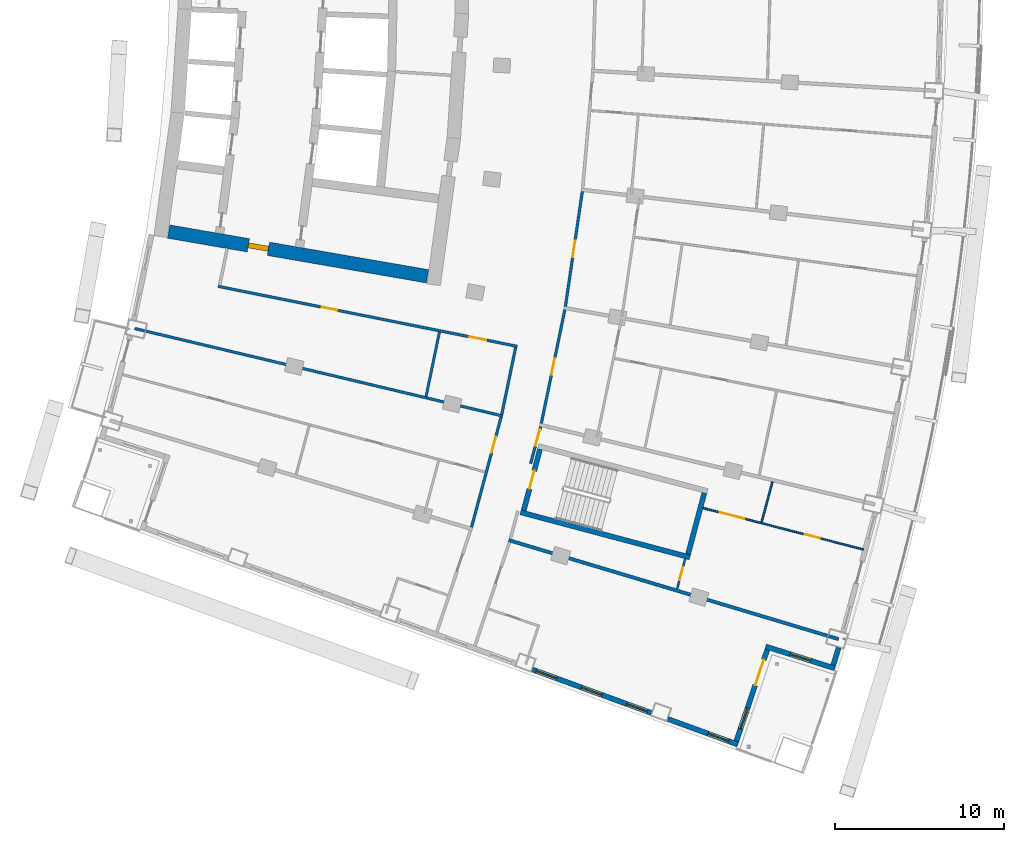
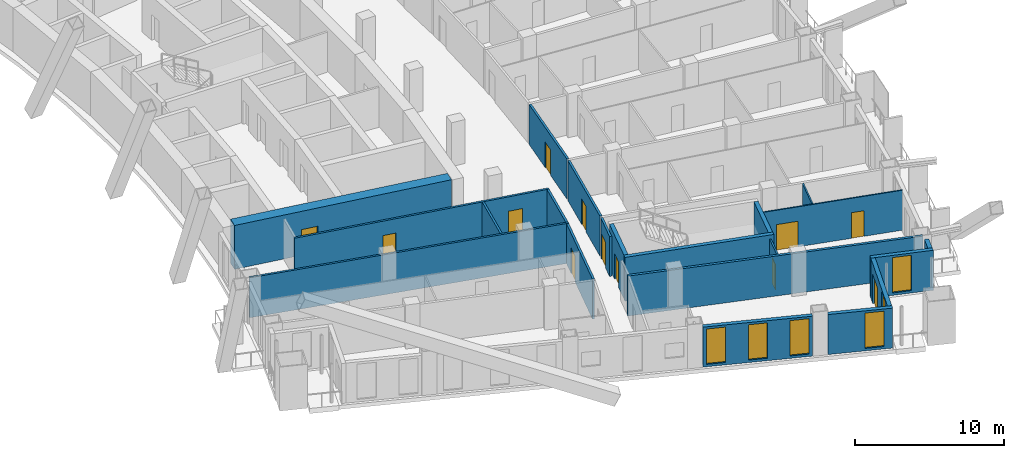
# One storey, part 14 of 25: 21 walls, 12 doors, 6 windows, 18 openings.
"""IFC4 building model written with IfcOpenShell, lengths in metres."""

from ifc_helpers import new_model, si_unit, direction, frame, frame_2d, origin, place, context, subcontext, project, spatial, rectangle, extrude, material, layer, layer_set, type_object, element, fill, save


model = new_model("IFC4")

# Units and contexts
model_context = context("Model", 3, precision=1e-05, world=origin(), true_north=direction((0.0, 1.0)))
body_context = subcontext(model_context, "Body", "Model", "MODEL_VIEW")
ifc_project = project(units=[si_unit("LENGTHUNIT", "METRE"), si_unit("AREAUNIT", "SQUARE_METRE"), si_unit("VOLUMEUNIT", "CUBIC_METRE"), si_unit("PLANEANGLEUNIT", "RADIAN"), si_unit("MASSUNIT", "GRAM", prefix="KILO")], contexts=[model_context])

# Site, building, storey
site_placement = place(None, origin())
site = spatial("IfcSite", under=ifc_project, at=site_placement, CompositionType="ELEMENT")
building_placement = place(site_placement, origin())
building = spatial("IfcBuilding", under=site, at=building_placement, Name="Alderwake Tower", CompositionType="ELEMENT")
storey_placement = place(building_placement, frame((0.0, 0.0, 93.199951171875)))
storey = spatial("IfcBuildingStorey", under=building, at=storey_placement, Name="L22", CompositionType="ELEMENT", Elevation=93.199951171875)

# Wall, opening, door
ifc_material_1 = material(Name="Concrete C70/85", Category="concrete")
ifc_layer_1 = layer(ifc_material_1, 0.800048828125)
ifc_layer_set_1 = layer_set([ifc_layer_1], Name="Core wall outer 800 C70-85")
wall_type_1 = type_object("IfcWallType", Name="Core wall outer 800 C70-85", PredefinedType="SHEAR", material=ifc_layer_set_1)
wall_1_placement = place(storey_placement, frame((31.20458984375, 41.776611328125, 0.0), z_axis=(0.0, 0.0, 1.0), x_axis=(-0.985386537175, 0.170333121719, 0.0)))
wall_1 = element("IfcWall", 1, at=wall_1_placement, inside=storey, type_object=wall_type_1, Name="Core wall CW.071", PredefinedType="SHEAR", context=body_context, shape_type="SweptSolid", body=[
    extrude(rectangle(XDim=15.537109375, YDim=0.800048828125, at=frame_2d((7.7685546875, 0.0))), origin(), (0.0, 0.0, 1.0), 3.60009765625),
])
opening_1_placement = place(wall_1_placement, frame((9.5537109375, 0.0, 0.0)))
opening_1 = element("IfcOpeningElement", 2, at=opening_1_placement, cuts=wall_1, Name="Opening C003", PredefinedType="OPENING", context=body_context, shape_type="SweptSolid", body=[
    extrude(rectangle(XDim=1.199951171875, YDim=2.10009765625, at=frame_2d((0.60009765625, 1.050048828125))), frame((0.0, 0.409912109375, 0.0), z_axis=(0.0, -1.0, 0.0), x_axis=(1.0, 0.0, 0.0)), (0.0, 0.0, 1.0), 0.820068359375),
])
ifc_material_2 = material(Name="Steel-framed fire door leaf", Category="steel")
door_type_1 = type_object("IfcDoorType", Name="Core lobby exit door 1200 fire-rated", OperationType="SINGLE_SWING_LEFT", PredefinedType="DOOR", material=ifc_material_2)
door_1_placement = place(opening_1_placement, origin())
door_1 = element("IfcDoor", 3, at=door_1_placement, inside=storey, type_object=door_type_1, Name="Lobby door", OperationType="SINGLE_SWING_LEFT", OverallHeight=2.10009765625, OverallWidth=1.199951171875, PredefinedType="DOOR", context=body_context, shape_type="SweptSolid", body=[
    extrude(rectangle(XDim=1.199951171875, YDim=2.10009765625, at=frame_2d((0.60009765625, 1.050048828125))), frame((0.0, 0.14990234375, 0.0), z_axis=(0.0, -1.0, 0.0), x_axis=(1.0, 0.0, 0.0)), (0.0, 0.0, 1.0), 0.300048828125),
])
fill(opening_1, door_1)

# Wall
ifc_material_3 = material(Name="Concrete C70/85", Category="concrete")
ifc_layer_2 = layer(ifc_material_3, 0.300048828125)
ifc_layer_set_2 = layer_set([ifc_layer_2], Name="Core wall stair enclosure 300 C70-85")
wall_type_2 = type_object("IfcWallType", Name="Core wall stair enclosure 300 C70-85", PredefinedType="SHEAR", material=ifc_layer_set_2)
wall_2_placement = place(storey_placement, frame((36.71142578125, 27.817626953125, 0.0), z_axis=(0.0, 0.0, 1.0), x_axis=(0.966309214305, -0.257383958996, 0.0)))
element("IfcWall", 4, at=wall_2_placement, inside=storey, type_object=wall_type_2, Name="Core wall CW.088", PredefinedType="SHEAR", context=body_context, shape_type="SweptSolid", body=[
    extrude(rectangle(XDim=10.360107421875, YDim=0.300048828125, at=frame_2d((5.18017578125, 0.0))), origin(), (0.0, 0.0, 1.0), 3.60009765625),
])

# Wall, opening, door
wall_3_placement = place(storey_placement, frame((36.89501953125, 27.923828125, 0.0), z_axis=(0.0, 0.0, 1.0), x_axis=(0.257350630826, 0.966318090907, 0.0)))
wall_3 = element("IfcWall", 5, at=wall_3_placement, inside=storey, type_object=wall_type_2, Name="Core wall CW.087", PredefinedType="SHEAR", context=body_context, shape_type="SweptSolid", body=[
    extrude(rectangle(XDim=3.75, YDim=0.300048828125, at=frame_2d((1.875, 0.0))), origin(), (0.0, 0.0, 1.0), 3.60009765625),
])
opening_2_placement = place(wall_3_placement, frame((1.324951171875, 0.0, 0.0)))
opening_2 = element("IfcOpeningElement", 6, at=opening_2_placement, cuts=wall_3, Name="Opening C065", PredefinedType="OPENING", context=body_context, shape_type="SweptSolid", body=[
    extrude(rectangle(XDim=1.10009765625, YDim=2.10009765625, at=frame_2d((0.550048828125, 1.050048828125))), frame((0.0, 0.159912109375, 0.0), z_axis=(0.0, -1.0, 0.0), x_axis=(1.0, 0.0, 0.0)), (0.0, 0.0, 1.0), 0.320068359375),
])
ifc_material_4 = material(Name="Steel-framed fire door leaf", Category="steel")
door_type_2 = type_object("IfcDoorType", Name="Core stair door 1100 fire-rated", OperationType="SINGLE_SWING_LEFT", PredefinedType="DOOR", material=ifc_material_4)
door_2_placement = place(opening_2_placement, origin())
door_2 = element("IfcDoor", 7, at=door_2_placement, inside=storey, type_object=door_type_2, Name="Stair door", OperationType="SINGLE_SWING_LEFT", OverallHeight=2.10009765625, OverallWidth=1.10009765625, PredefinedType="DOOR", context=body_context, shape_type="SweptSolid", body=[
    extrude(rectangle(XDim=1.10009765625, YDim=2.10009765625, at=frame_2d((0.550048828125, 1.050048828125))), frame((0.0, 0.02490234375, 0.0), z_axis=(0.0, -1.0, 0.0), x_axis=(1.0, 0.0, 0.0)), (0.0, 0.0, 1.0), 0.050048828125),
])
fill(opening_2, door_2)

# Walls
wall_4_placement = place(storey_placement, frame((46.6162109375, 25.334716796875, 0.0), z_axis=(0.0, 0.0, 1.0), x_axis=(0.257366821694, 0.966313778796, 0.0)))
element("IfcWall", 8, at=wall_4_placement, inside=storey, type_object=wall_type_2, Name="Core wall CW.085", PredefinedType="SHEAR", context=body_context, shape_type="SweptSolid", body=[
    extrude(rectangle(XDim=3.749755859375, YDim=0.300048828125, at=frame_2d((1.875, 0.0))), origin(), (0.0, 0.0, 1.0), 3.60009765625),
])
ifc_material_5 = material(Name="Gypsum board on metal studs, rated")
ifc_layer_3 = layer(ifc_material_5, 0.159912109375)
ifc_layer_set_3 = layer_set([ifc_layer_3], Name="Corridor wall 160")
wall_type_3 = type_object("IfcWallType", Name="Corridor wall 160", PredefinedType="PARTITIONING", material=ifc_layer_set_3)
wall_5_placement = place(storey_placement, frame((13.884033203125, 38.68798828125, 0.0), z_axis=(0.0, 0.0, 1.0), x_axis=(0.972893462073, -0.231253781493, 0.0)))
element("IfcWall", 9, at=wall_5_placement, inside=storey, type_object=wall_type_3, Name="WL/L22/W18", PredefinedType="PARTITIONING", context=body_context, shape_type="SweptSolid", body=[
    extrude(rectangle(XDim=22.38037109375, YDim=0.159912109375, at=frame_2d((11.190185546875, 0.0))), origin(), (0.0, 0.0, 1.0), 3.280029296875),
])

# Wall, openings, doors
wall_6_placement = place(storey_placement, frame((36.513427734375, 37.63427734375, 0.0), z_axis=(0.0, 0.0, 1.0), x_axis=(-0.980470254867, 0.1966674333, 0.0)))
wall_6 = element("IfcWall", 10, at=wall_6_placement, inside=storey, type_object=wall_type_3, Name="WL/L22/W20", PredefinedType="PARTITIONING", context=body_context, shape_type="SweptSolid", body=[
    extrude(rectangle(XDim=18.053466796875, YDim=0.159912109375, at=frame_2d((9.02685546875, 0.0))), origin(), (0.0, 0.0, 1.0), 3.280029296875),
])
opening_3_placement = place(wall_6_placement, frame((10.876708984375, 0.0, 0.0)))
opening_3 = element("IfcOpeningElement", 11, at=opening_3_placement, cuts=wall_6, Name="Opening R06-SBS1", PredefinedType="OPENING", context=body_context, shape_type="SweptSolid", body=[
    extrude(rectangle(XDim=0.89990234375, YDim=2.10009765625, at=frame_2d((0.449951171875, 1.050048828125))), frame((0.0, 0.08984375, 0.0), z_axis=(0.0, -1.0, 0.0), x_axis=(1.0, 0.0, 0.0)), (0.0, 0.0, 1.0), 0.179931640625),
])
opening_4_placement = place(wall_6_placement, frame((1.880615234375, 0.0, 0.0)))
opening_4 = element("IfcOpeningElement", 12, at=opening_4_placement, cuts=wall_6, Name="Opening R06-SBS2", PredefinedType="OPENING", context=body_context, shape_type="SweptSolid", body=[
    extrude(rectangle(XDim=1.0, YDim=2.10009765625, at=frame_2d((0.5, 1.050048828125))), frame((0.0, 0.08984375, 0.0), z_axis=(0.0, -1.0, 0.0), x_axis=(1.0, 0.0, 0.0)), (0.0, 0.0, 1.0), 0.179931640625),
])
ifc_material_6 = material(Name="Steel-framed fire door leaf", Category="steel")
door_type_3 = type_object("IfcDoorType", Name="Plant room door 1000 fire-rated", OperationType="SINGLE_SWING_LEFT", PredefinedType="DOOR", material=ifc_material_6)
door_3_placement = place(opening_4_placement, origin())
door_3 = element("IfcDoor", 13, at=door_3_placement, inside=storey, type_object=door_type_3, Name="DR/L22/SBS2", OperationType="SINGLE_SWING_LEFT", OverallHeight=2.10009765625, OverallWidth=1.0, PredefinedType="DOOR", context=body_context, shape_type="SweptSolid", body=[
    extrude(rectangle(XDim=1.0, YDim=2.10009765625, at=frame_2d((0.5, 1.050048828125))), frame((0.0, 0.02490234375, 0.0), z_axis=(0.0, -1.0, 0.0), x_axis=(1.0, 0.0, 0.0)), (0.0, 0.0, 1.0), 0.050048828125),
])
fill(opening_4, door_3)
ifc_material_7 = material(Name="Painted timber leaf", Category="wood")
door_type_4 = type_object("IfcDoorType", Name="Room door 900", OperationType="SINGLE_SWING_LEFT", PredefinedType="DOOR", material=ifc_material_7)
door_4_placement = place(opening_3_placement, origin())
door_4 = element("IfcDoor", 14, at=door_4_placement, inside=storey, type_object=door_type_4, Name="DR/L22/SBS1", OperationType="SINGLE_SWING_LEFT", OverallHeight=2.10009765625, OverallWidth=0.89990234375, PredefinedType="DOOR", context=body_context, shape_type="SweptSolid", body=[
    extrude(rectangle(XDim=0.89990234375, YDim=2.10009765625, at=frame_2d((0.449951171875, 1.050048828125))), frame((0.0, 0.02490234375, 0.0), z_axis=(0.0, -1.0, 0.0), x_axis=(1.0, 0.0, 0.0)), (0.0, 0.0, 1.0), 0.050048828125),
])
fill(opening_3, door_4)

# Wall, opening, door
wall_7_placement = place(storey_placement, frame((33.808837890625, 26.9345703125, 0.0), z_axis=(0.0, 0.0, 1.0), x_axis=(0.259298911818, 0.965797118618, 0.0)))
wall_7 = element("IfcWall", 15, at=wall_7_placement, inside=storey, type_object=wall_type_3, Name="WL/L22/W25", PredefinedType="PARTITIONING", context=body_context, shape_type="SweptSolid", body=[
    extrude(rectangle(XDim=6.75, YDim=0.159912109375, at=frame_2d((3.375, 0.0))), origin(), (0.0, 0.0, 1.0), 3.280029296875),
])
opening_5_placement = place(wall_7_placement, frame((4.5576171875, 0.0, 0.0)))
opening_5 = element("IfcOpeningElement", 16, at=opening_5_placement, cuts=wall_7, Name="Opening R06-U13.2", PredefinedType="OPENING", context=body_context, shape_type="SweptSolid", body=[
    extrude(rectangle(XDim=1.0, YDim=2.10009765625, at=frame_2d((0.5, 1.050048828125))), frame((0.0, 0.08984375, 0.0), z_axis=(0.0, -1.0, 0.0), x_axis=(1.0, 0.0, 0.0)), (0.0, 0.0, 1.0), 0.179931640625),
])
ifc_material_8 = material(Name="Solid timber leaf in steel frame", Category="steel")
door_type_5 = type_object("IfcDoorType", Name="Flat entrance door 1000 fire-rated", OperationType="SINGLE_SWING_LEFT", PredefinedType="DOOR", material=ifc_material_8)
door_5_placement = place(opening_5_placement, origin())
door_5 = element("IfcDoor", 17, at=door_5_placement, inside=storey, type_object=door_type_5, Name="DR/L22/U13.2", OperationType="SINGLE_SWING_LEFT", OverallHeight=2.10009765625, OverallWidth=1.0, PredefinedType="DOOR", context=body_context, shape_type="SweptSolid", body=[
    extrude(rectangle(XDim=1.0, YDim=2.10009765625, at=frame_2d((0.5, 1.050048828125))), frame((0.0, 0.02490234375, 0.0), z_axis=(0.0, -1.0, 0.0), x_axis=(1.0, 0.0, 0.0)), (0.0, 0.0, 1.0), 0.050048828125),
])
fill(opening_5, door_5)

# Wall
wall_8_placement = place(storey_placement, frame((36.418701171875, 37.57177734375, 0.0), z_axis=(0.0, 0.0, 1.0), x_axis=(-0.203245920818, -0.979127721838, 0.0)))
element("IfcWall", 18, at=wall_8_placement, inside=storey, type_object=wall_type_3, Name="WL/L22/W31", PredefinedType="PARTITIONING", context=body_context, shape_type="SweptSolid", body=[
    extrude(rectangle(XDim=4.046875, YDim=0.159912109375, at=frame_2d((2.0234375, 0.0))), origin(), (0.0, 0.0, 1.0), 3.280029296875),
])

# Wall, opening, door
wall_9_placement = place(storey_placement, frame((37.89111328125, 32.87939453125, 0.0), z_axis=(0.0, 0.0, 1.0), x_axis=(-0.259620578816, -0.965710699462, 0.0)))
wall_9 = element("IfcWall", 19, at=wall_9_placement, inside=storey, type_object=wall_type_3, Name="WL/L22/W34", PredefinedType="PARTITIONING", context=body_context, shape_type="SweptSolid", body=[
    extrude(rectangle(XDim=2.2578125, YDim=0.159912109375, at=frame_2d((1.12890625, 0.0))), origin(), (0.0, 0.0, 1.0), 3.280029296875),
])
opening_6_placement = place(wall_9_placement, frame((0.1708984375, 0.0, 0.0)))
opening_6 = element("IfcOpeningElement", 20, at=opening_6_placement, cuts=wall_9, Name="Opening R06-U01.1", PredefinedType="OPENING", context=body_context, shape_type="SweptSolid", body=[
    extrude(rectangle(XDim=1.0, YDim=2.10009765625, at=frame_2d((0.5, 1.050048828125))), frame((0.0, 0.08984375, 0.0), z_axis=(0.0, -1.0, 0.0), x_axis=(1.0, 0.0, 0.0)), (0.0, 0.0, 1.0), 0.179931640625),
])
door_6_placement = place(opening_6_placement, origin())
door_6 = element("IfcDoor", 21, at=door_6_placement, inside=storey, type_object=door_type_5, Name="DR/L22/U01.1", OperationType="SINGLE_SWING_LEFT", OverallHeight=2.10009765625, OverallWidth=1.0, PredefinedType="DOOR", context=body_context, shape_type="SweptSolid", body=[
    extrude(rectangle(XDim=1.0, YDim=2.10009765625, at=frame_2d((0.5, 1.050048828125))), frame((0.0, 0.02490234375, 0.0), z_axis=(0.0, -1.0, 0.0), x_axis=(1.0, 0.0, 0.0)), (0.0, 0.0, 1.0), 0.050048828125),
])
fill(opening_6, door_6)

wall_10_placement = place(storey_placement, frame((39.32763671875, 39.799072265625, 0.0), z_axis=(0.0, 0.0, 1.0), x_axis=(-0.202463357072, -0.97928983914, 0.0)))
wall_10 = element("IfcWall", 22, at=wall_10_placement, inside=storey, type_object=wall_type_3, Name="WL/L22/W35", PredefinedType="PARTITIONING", context=body_context, shape_type="SweptSolid", body=[
    extrude(rectangle(XDim=6.867431640625, YDim=0.159912109375, at=frame_2d((3.43359375, 0.0))), origin(), (0.0, 0.0, 1.0), 3.280029296875),
])
opening_7_placement = place(wall_10_placement, frame((2.93359375, 0.0, 0.0)))
opening_7 = element("IfcOpeningElement", 23, at=opening_7_placement, cuts=wall_10, Name="Opening R06-U05.2", PredefinedType="OPENING", context=body_context, shape_type="SweptSolid", body=[
    extrude(rectangle(XDim=1.0, YDim=2.10009765625, at=frame_2d((0.5, 1.050048828125))), frame((0.0, 0.08984375, 0.0), z_axis=(0.0, -1.0, 0.0), x_axis=(1.0, 0.0, 0.0)), (0.0, 0.0, 1.0), 0.179931640625),
])
door_7_placement = place(opening_7_placement, origin())
door_7 = element("IfcDoor", 24, at=door_7_placement, inside=storey, type_object=door_type_5, Name="DR/L22/U05.2", OperationType="SINGLE_SWING_LEFT", OverallHeight=2.10009765625, OverallWidth=1.0, PredefinedType="DOOR", context=body_context, shape_type="SweptSolid", body=[
    extrude(rectangle(XDim=1.0, YDim=2.10009765625, at=frame_2d((0.5, 1.050048828125))), frame((0.0, 0.02490234375, 0.0), z_axis=(0.0, -1.0, 0.0), x_axis=(1.0, 0.0, 0.0)), (0.0, 0.0, 1.0), 0.050048828125),
])
fill(opening_7, door_7)

wall_11_placement = place(storey_placement, frame((40.3623046875, 46.7939453125, 0.0), z_axis=(0.0, 0.0, 1.0), x_axis=(-0.1455042199, -0.989357630987, 0.0)))
wall_11 = element("IfcWall", 25, at=wall_11_placement, inside=storey, type_object=wall_type_3, Name="WL/L22/W37", PredefinedType="PARTITIONING", context=body_context, shape_type="SweptSolid", body=[
    extrude(rectangle(XDim=6.87109375, YDim=0.159912109375, at=frame_2d((3.435546875, 0.0))), origin(), (0.0, 0.0, 1.0), 3.280029296875),
])
opening_8_placement = place(wall_11_placement, frame((2.935546875, 0.0, 0.0)))
opening_8 = element("IfcOpeningElement", 26, at=opening_8_placement, cuts=wall_11, Name="Opening R06-U06.2", PredefinedType="OPENING", context=body_context, shape_type="SweptSolid", body=[
    extrude(rectangle(XDim=1.0, YDim=2.10009765625, at=frame_2d((0.5, 1.050048828125))), frame((0.0, 0.08984375, 0.0), z_axis=(0.0, -1.0, 0.0), x_axis=(1.0, 0.0, 0.0)), (0.0, 0.0, 1.0), 0.179931640625),
])
door_8_placement = place(opening_8_placement, origin())
door_8 = element("IfcDoor", 27, at=door_8_placement, inside=storey, type_object=door_type_5, Name="DR/L22/U06.2", OperationType="SINGLE_SWING_LEFT", OverallHeight=2.10009765625, OverallWidth=1.0, PredefinedType="DOOR", context=body_context, shape_type="SweptSolid", body=[
    extrude(rectangle(XDim=1.0, YDim=2.10009765625, at=frame_2d((0.5, 1.050048828125))), frame((0.0, 0.02490234375, 0.0), z_axis=(0.0, -1.0, 0.0), x_axis=(1.0, 0.0, 0.0)), (0.0, 0.0, 1.0), 0.050048828125),
])
fill(opening_8, door_8)

# Wall
ifc_material_9 = material(Name="Precast concrete C50/60 spandrel panel", Category="concrete")
ifc_layer_4 = layer(ifc_material_9, 0.300048828125)
ifc_layer_set_4 = layer_set([ifc_layer_4], Name="External wall EW1 Precast concrete C50/60 spandrel")
wall_type_4 = type_object("IfcWallType", Name="External wall EW1 Precast concrete C50/60 spandrel", PredefinedType="SOLIDWALL", material=ifc_layer_set_4)
wall_12_placement = place(storey_placement, frame((55.206298828125, 18.7724609375, 0.0), z_axis=(0.0, 0.0, 1.0), x_axis=(0.29460770827, 0.955618280606, 0.0)))
element("IfcWall", 28, at=wall_12_placement, inside=storey, type_object=wall_type_4, Name="External wall 11", PredefinedType="SOLIDWALL", context=body_context, shape_type="SweptSolid", body=[
    extrude(rectangle(XDim=1.084716796875, YDim=0.300048828125, at=frame_2d((0.54248046875, 0.0))), origin(), (0.0, 0.0, 1.0), 3.280029296875),
])

# Wall, openings, windows
ifc_material_10 = material(Name="Bronze metal cladding on lightweight framing")
ifc_layer_5 = layer(ifc_material_10, 0.300048828125)
ifc_layer_set_5 = layer_set([ifc_layer_5], Name="External wall EW2 bronze metal cladding")
wall_type_5 = type_object("IfcWallType", Name="External wall EW2 bronze metal cladding", PredefinedType="SOLIDWALL", material=ifc_layer_set_5)
wall_13_placement = place(storey_placement, frame((37.4091796875, 18.514892578125, 0.0), z_axis=(0.0, 0.0, 1.0), x_axis=(0.939370505087, -0.342903855582, 0.0)))
wall_13 = element("IfcWall", 29, at=wall_13_placement, inside=storey, type_object=wall_type_5, Name="External wall 7", PredefinedType="SOLIDWALL", context=body_context, shape_type="SweptSolid", body=[
    extrude(rectangle(XDim=7.479248046875, YDim=0.300048828125, at=frame_2d((3.73974609375, 0.0))), origin(), (0.0, 0.0, 1.0), 3.280029296875),
])
opening_9_placement = place(wall_13_placement, frame((0.2451171875, 0.0, 0.199951171875)))
opening_9 = element("IfcOpeningElement", 30, at=opening_9_placement, cuts=wall_13, Name="Opening W1", PredefinedType="OPENING", context=body_context, shape_type="SweptSolid", body=[
    extrude(rectangle(XDim=1.300048828125, YDim=2.89990234375, at=frame_2d((0.64990234375, 1.449951171875))), frame((0.0, 0.159912109375, 0.0), z_axis=(0.0, -1.0, 0.0), x_axis=(1.0, 0.0, 0.0)), (0.0, 0.0, 1.0), 0.320068359375),
])
opening_10_placement = place(wall_13_placement, frame((3.089599609375, 0.0, 0.199951171875)))
opening_10 = element("IfcOpeningElement", 31, at=opening_10_placement, cuts=wall_13, Name="Opening W1", PredefinedType="OPENING", context=body_context, shape_type="SweptSolid", body=[
    extrude(rectangle(XDim=1.300048828125, YDim=2.89990234375, at=frame_2d((0.64990234375, 1.449951171875))), frame((0.0, 0.159912109375, 0.0), z_axis=(0.0, -1.0, 0.0), x_axis=(1.0, 0.0, 0.0)), (0.0, 0.0, 1.0), 0.320068359375),
])
opening_11_placement = place(wall_13_placement, frame((5.93408203125, 0.0, 0.199951171875)))
opening_11 = element("IfcOpeningElement", 32, at=opening_11_placement, cuts=wall_13, Name="Opening W1", PredefinedType="OPENING", context=body_context, shape_type="SweptSolid", body=[
    extrude(rectangle(XDim=1.300048828125, YDim=2.89990234375, at=frame_2d((0.64990234375, 1.449951171875))), frame((0.0, 0.159912109375, 0.0), z_axis=(0.0, -1.0, 0.0), x_axis=(1.0, 0.0, 0.0)), (0.0, 0.0, 1.0), 0.320068359375),
])
ifc_material_11 = material(Name="Bronze tinted glass in aluminium frame", Category="aluminium")
window_type = type_object("IfcWindowType", Name="Window W1 tall fixed and vent", PartitioningType="DOUBLE_PANEL_VERTICAL", PredefinedType="WINDOW", material=ifc_material_11)
window_1_placement = place(opening_9_placement, origin())
window_1 = element("IfcWindow", 33, at=window_1_placement, inside=storey, type_object=window_type, Name="Window W1 tall fixed and vent", OverallHeight=2.89990234375, OverallWidth=1.300048828125, PartitioningType="DOUBLE_PANEL_VERTICAL", PredefinedType="WINDOW", context=body_context, shape_type="SweptSolid", body=[
    extrude(rectangle(XDim=1.300048828125, YDim=2.89990234375, at=frame_2d((0.64990234375, 1.449951171875))), frame((0.0, 0.030029296875, 0.0), z_axis=(0.0, -1.0, 0.0), x_axis=(1.0, 0.0, 0.0)), (0.0, 0.0, 1.0), 0.06005859375),
])
fill(opening_9, window_1)
window_2_placement = place(opening_10_placement, origin())
window_2 = element("IfcWindow", 34, at=window_2_placement, inside=storey, type_object=window_type, Name="Window W1 tall fixed and vent", OverallHeight=2.89990234375, OverallWidth=1.300048828125, PartitioningType="DOUBLE_PANEL_VERTICAL", PredefinedType="WINDOW", context=body_context, shape_type="SweptSolid", body=[
    extrude(rectangle(XDim=1.300048828125, YDim=2.89990234375, at=frame_2d((0.64990234375, 1.449951171875))), frame((0.0, 0.030029296875, 0.0), z_axis=(0.0, -1.0, 0.0), x_axis=(1.0, 0.0, 0.0)), (0.0, 0.0, 1.0), 0.06005859375),
])
fill(opening_10, window_2)
window_3_placement = place(opening_11_placement, origin())
window_3 = element("IfcWindow", 35, at=window_3_placement, inside=storey, type_object=window_type, Name="Window W1 tall fixed and vent", OverallHeight=2.89990234375, OverallWidth=1.300048828125, PartitioningType="DOUBLE_PANEL_VERTICAL", PredefinedType="WINDOW", context=body_context, shape_type="SweptSolid", body=[
    extrude(rectangle(XDim=1.300048828125, YDim=2.89990234375, at=frame_2d((0.64990234375, 1.449951171875))), frame((0.0, 0.030029296875, 0.0), z_axis=(0.0, -1.0, 0.0), x_axis=(1.0, 0.0, 0.0)), (0.0, 0.0, 1.0), 0.06005859375),
])
fill(opening_11, window_3)

# Wall, opening, window
wall_14_placement = place(storey_placement, frame((45.425048828125, 15.5888671875, 0.0), z_axis=(0.0, 0.0, 1.0), x_axis=(0.939375174999, -0.342891062285, 0.0)))
wall_14 = element("IfcWall", 36, at=wall_14_placement, inside=storey, type_object=wall_type_5, Name="External wall 8", PredefinedType="SOLIDWALL", context=body_context, shape_type="SweptSolid", body=[
    extrude(rectangle(XDim=4.404541015625, YDim=0.300048828125, at=frame_2d((2.2021484375, 0.0))), origin(), (0.0, 0.0, 1.0), 3.280029296875),
])
opening_12_placement = place(wall_14_placement, frame((2.521484375, 0.0, 0.199951171875)))
opening_12 = element("IfcOpeningElement", 37, at=opening_12_placement, cuts=wall_14, Name="Opening W1", PredefinedType="OPENING", context=body_context, shape_type="SweptSolid", body=[
    extrude(rectangle(XDim=1.300048828125, YDim=2.89990234375, at=frame_2d((0.64990234375, 1.449951171875))), frame((0.0, 0.159912109375, 0.0), z_axis=(0.0, -1.0, 0.0), x_axis=(1.0, 0.0, 0.0)), (0.0, 0.0, 1.0), 0.320068359375),
])
window_4_placement = place(opening_12_placement, origin())
window_4 = element("IfcWindow", 38, at=window_4_placement, inside=storey, type_object=window_type, Name="Window W1 tall fixed and vent", OverallHeight=2.89990234375, OverallWidth=1.300048828125, PartitioningType="DOUBLE_PANEL_VERTICAL", PredefinedType="WINDOW", context=body_context, shape_type="SweptSolid", body=[
    extrude(rectangle(XDim=1.300048828125, YDim=2.89990234375, at=frame_2d((0.64990234375, 1.449951171875))), frame((0.0, 0.030029296875, 0.0), z_axis=(0.0, -1.0, 0.0), x_axis=(1.0, 0.0, 0.0)), (0.0, 0.0, 1.0), 0.06005859375),
])
fill(opening_12, window_4)

# Wall, openings, door, window
wall_15_placement = place(storey_placement, frame((49.469482421875, 14.272216796875, 0.0), z_axis=(0.0, 0.0, 1.0), x_axis=(0.32090889823, 0.947110067013, 0.0)))
wall_15 = element("IfcWall", 39, at=wall_15_placement, inside=storey, type_object=wall_type_5, Name="External wall 9", PredefinedType="SOLIDWALL", context=body_context, shape_type="SweptSolid", body=[
    extrude(rectangle(XDim=5.721923828125, YDim=0.300048828125, at=frame_2d((2.86083984375, 0.0))), origin(), (0.0, 0.0, 1.0), 3.280029296875),
])
opening_13_placement = place(wall_15_placement, frame((0.780517578125, 0.0, 0.199951171875)))
opening_13 = element("IfcOpeningElement", 40, at=opening_13_placement, cuts=wall_15, Name="Opening W1", PredefinedType="OPENING", context=body_context, shape_type="SweptSolid", body=[
    extrude(rectangle(XDim=1.300048828125, YDim=2.89990234375, at=frame_2d((0.64990234375, 1.449951171875))), frame((0.0, 0.159912109375, 0.0), z_axis=(0.0, -1.0, 0.0), x_axis=(1.0, 0.0, 0.0)), (0.0, 0.0, 1.0), 0.320068359375),
])
opening_14_placement = place(wall_15_placement, frame((3.491455078125, 0.0, 0.0)))
opening_14 = element("IfcOpeningElement", 41, at=opening_14_placement, cuts=wall_15, Name="Opening D02", PredefinedType="OPENING", context=body_context, shape_type="SweptSolid", body=[
    extrude(rectangle(XDim=1.60009765625, YDim=2.39990234375, at=frame_2d((0.800048828125, 1.199951171875))), frame((0.0, 0.159912109375, 0.0), z_axis=(0.0, -1.0, 0.0), x_axis=(1.0, 0.0, 0.0)), (0.0, 0.0, 1.0), 0.320068359375),
])
ifc_material_12 = material(Name="Bronze tinted glass in aluminium frame", Category="aluminium")
door_type_6 = type_object("IfcDoorType", Name="Terrace door TD sliding", OperationType="SLIDING_TO_LEFT", PredefinedType="DOOR", material=ifc_material_12)
door_9_placement = place(opening_14_placement, origin())
door_9 = element("IfcDoor", 42, at=door_9_placement, inside=storey, type_object=door_type_6, Name="Door D02", OperationType="SLIDING_TO_LEFT", OverallHeight=2.39990234375, OverallWidth=1.60009765625, PredefinedType="DOOR", context=body_context, shape_type="SweptSolid", body=[
    extrude(rectangle(XDim=1.60009765625, YDim=2.39990234375, at=frame_2d((0.800048828125, 1.199951171875))), frame((0.0, 0.02490234375, 0.0), z_axis=(0.0, -1.0, 0.0), x_axis=(1.0, 0.0, 0.0)), (0.0, 0.0, 1.0), 0.050048828125),
])
fill(opening_14, door_9)
window_5_placement = place(opening_13_placement, origin())
window_5 = element("IfcWindow", 43, at=window_5_placement, inside=storey, type_object=window_type, Name="Window W1 tall fixed and vent", OverallHeight=2.89990234375, OverallWidth=1.300048828125, PartitioningType="DOUBLE_PANEL_VERTICAL", PredefinedType="WINDOW", context=body_context, shape_type="SweptSolid", body=[
    extrude(rectangle(XDim=1.300048828125, YDim=2.89990234375, at=frame_2d((0.64990234375, 1.449951171875))), frame((0.0, 0.030029296875, 0.0), z_axis=(0.0, -1.0, 0.0), x_axis=(1.0, 0.0, 0.0)), (0.0, 0.0, 1.0), 0.06005859375),
])
fill(opening_13, window_5)

# Wall, opening, window
wall_16_placement = place(storey_placement, frame((51.210693359375, 19.878662109375, 0.0), z_axis=(0.0, 0.0, 1.0), x_axis=(0.95345886453, -0.301523122911, 0.0)))
wall_16 = element("IfcWall", 44, at=wall_16_placement, inside=storey, type_object=wall_type_5, Name="External wall 10", PredefinedType="SOLIDWALL", context=body_context, shape_type="SweptSolid", body=[
    extrude(rectangle(XDim=4.294677734375, YDim=0.300048828125, at=frame_2d((2.1474609375, 0.0))), origin(), (0.0, 0.0, 1.0), 3.280029296875),
])
opening_15_placement = place(wall_16_placement, frame((1.4970703125, 0.0, 0.199951171875)))
opening_15 = element("IfcOpeningElement", 45, at=opening_15_placement, cuts=wall_16, Name="Opening W1", PredefinedType="OPENING", context=body_context, shape_type="SweptSolid", body=[
    extrude(rectangle(XDim=1.300048828125, YDim=2.89990234375, at=frame_2d((0.64990234375, 1.449951171875))), frame((0.0, 0.159912109375, 0.0), z_axis=(0.0, -1.0, 0.0), x_axis=(1.0, 0.0, 0.0)), (0.0, 0.0, 1.0), 0.320068359375),
])
window_6_placement = place(opening_15_placement, origin())
window_6 = element("IfcWindow", 46, at=window_6_placement, inside=storey, type_object=window_type, Name="Window W1 tall fixed and vent", OverallHeight=2.89990234375, OverallWidth=1.300048828125, PartitioningType="DOUBLE_PANEL_VERTICAL", PredefinedType="WINDOW", context=body_context, shape_type="SweptSolid", body=[
    extrude(rectangle(XDim=1.300048828125, YDim=2.89990234375, at=frame_2d((0.64990234375, 1.449951171875))), frame((0.0, 0.030029296875, 0.0), z_axis=(0.0, -1.0, 0.0), x_axis=(1.0, 0.0, 0.0)), (0.0, 0.0, 1.0), 0.06005859375),
])
fill(opening_15, window_6)

# Walls
ifc_material_13 = material(Name="Dense block masonry wall", Category="masonry")
ifc_layer_6 = layer(ifc_material_13, 0.199951171875)
ifc_layer_set_6 = layer_set([ifc_layer_6], Name="Party wall 200")
wall_type_6 = type_object("IfcWallType", Name="Party wall 200", PredefinedType="SOLIDWALL", material=ifc_layer_set_6)
wall_17_placement = place(storey_placement, frame((36.00439453125, 26.1708984375, 0.0), z_axis=(0.0, 0.0, 1.0), x_axis=(0.957798584654, -0.287440204625, 0.0)))
element("IfcWall", 47, at=wall_17_placement, inside=storey, type_object=wall_type_6, Name="WL/L22/W05", PredefinedType="SOLIDWALL", context=body_context, shape_type="SweptSolid", body=[
    extrude(rectangle(XDim=20.379638671875, YDim=0.199951171875, at=frame_2d((10.18994140625, 0.0))), origin(), (0.0, 0.0, 1.0), 3.280029296875),
])
ifc_material_14 = material(Name="Gypsum shaft wall system, rated")
ifc_layer_7 = layer(ifc_material_14, 0.14990234375)
ifc_layer_set_7 = layer_set([ifc_layer_7], Name="Riser and shaft wall 150")
wall_type_7 = type_object("IfcWallType", Name="Riser and shaft wall 150", PredefinedType="PARTITIONING", material=ifc_layer_set_7)
wall_18_placement = place(storey_placement, frame((31.120361328125, 34.67138671875, 0.0), z_axis=(0.0, 0.0, 1.0), x_axis=(0.203103989328, 0.979157173042, 0.0)))
element("IfcWall", 48, at=wall_18_placement, inside=storey, type_object=wall_type_7, Name="WL/L22/W14", PredefinedType="PARTITIONING", context=body_context, shape_type="SweptSolid", body=[
    extrude(rectangle(XDim=3.887451171875, YDim=0.14990234375, at=frame_2d((1.94384765625, 0.0))), origin(), (0.0, 0.0, 1.0), 3.280029296875),
])

# Wall, openings, doors
ifc_material_15 = material(Name="Gypsum board on metal studs")
ifc_layer_8 = layer(ifc_material_15, 0.10009765625)
ifc_layer_set_8 = layer_set([ifc_layer_8], Name="Unit partition 100")
wall_type_8 = type_object("IfcWallType", Name="Unit partition 100", PredefinedType="PARTITIONING", material=ifc_layer_set_8)
wall_19_placement = place(storey_placement, frame((57.0, 25.614013671875, 0.0), z_axis=(0.0, 0.0, 1.0), x_axis=(-0.968222151935, 0.250091712181, 0.0)))
wall_19 = element("IfcWall", 49, at=wall_19_placement, inside=storey, type_object=wall_type_8, Name="WL/L22/W79", PredefinedType="PARTITIONING", context=body_context, shape_type="SweptSolid", body=[
    extrude(rectangle(XDim=9.812744140625, YDim=0.10009765625, at=frame_2d((4.90625, 0.0))), origin(), (0.0, 0.0, 1.0), 3.280029296875),
])
opening_16_placement = place(wall_19_placement, frame((7.28076171875, 0.0, 0.0)))
opening_16 = element("IfcOpeningElement", 50, at=opening_16_placement, cuts=wall_19, Name="Opening R06-U01.2", PredefinedType="OPENING", context=body_context, shape_type="SweptSolid", body=[
    extrude(rectangle(XDim=1.5, YDim=2.10009765625, at=frame_2d((0.75, 1.050048828125))), frame((0.0, 0.06005859375, 0.0), z_axis=(0.0, -1.0, 0.0), x_axis=(1.0, 0.0, 0.0)), (0.0, 0.0, 1.0), 0.1201171875),
])
opening_17_placement = place(wall_19_placement, frame((2.6748046875, 0.0, 0.0)))
opening_17 = element("IfcOpeningElement", 51, at=opening_17_placement, cuts=wall_19, Name="Opening R06-U01.3", PredefinedType="OPENING", context=body_context, shape_type="SweptSolid", body=[
    extrude(rectangle(XDim=0.89990234375, YDim=2.10009765625, at=frame_2d((0.449951171875, 1.050048828125))), frame((0.0, 0.06005859375, 0.0), z_axis=(0.0, -1.0, 0.0), x_axis=(1.0, 0.0, 0.0)), (0.0, 0.0, 1.0), 0.1201171875),
])
ifc_material_16 = material(Name="Painted timber leaves", Category="wood")
door_type_7 = type_object("IfcDoorType", Name="Double leaf door 1500", OperationType="DOUBLE_DOOR_SINGLE_SWING", PredefinedType="DOOR", material=ifc_material_16)
door_10_placement = place(opening_16_placement, origin())
door_10 = element("IfcDoor", 52, at=door_10_placement, inside=storey, type_object=door_type_7, Name="DR/L22/U01.2", OperationType="DOUBLE_DOOR_SINGLE_SWING", OverallHeight=2.10009765625, OverallWidth=1.5, PredefinedType="DOOR", context=body_context, shape_type="SweptSolid", body=[
    extrude(rectangle(XDim=1.5, YDim=2.10009765625, at=frame_2d((0.75, 1.050048828125))), frame((0.0, 0.02490234375, 0.0), z_axis=(0.0, -1.0, 0.0), x_axis=(1.0, 0.0, 0.0)), (0.0, 0.0, 1.0), 0.050048828125),
])
fill(opening_16, door_10)
door_11_placement = place(opening_17_placement, origin())
door_11 = element("IfcDoor", 53, at=door_11_placement, inside=storey, type_object=door_type_4, Name="DR/L22/U01.3", OperationType="SINGLE_SWING_LEFT", OverallHeight=2.10009765625, OverallWidth=0.89990234375, PredefinedType="DOOR", context=body_context, shape_type="SweptSolid", body=[
    extrude(rectangle(XDim=0.89990234375, YDim=2.10009765625, at=frame_2d((0.449951171875, 1.050048828125))), frame((0.0, 0.02490234375, 0.0), z_axis=(0.0, -1.0, 0.0), x_axis=(1.0, 0.0, 0.0)), (0.0, 0.0, 1.0), 0.050048828125),
])
fill(opening_17, door_11)

# Wall
wall_20_placement = place(storey_placement, frame((50.9619140625, 27.225341796875, 0.0), z_axis=(0.0, 0.0, 1.0), x_axis=(0.260249003849, 0.965541535096, 0.0)))
element("IfcWall", 54, at=wall_20_placement, inside=storey, type_object=wall_type_8, Name="WL/L22/W84", PredefinedType="PARTITIONING", context=body_context, shape_type="SweptSolid", body=[
    extrude(rectangle(XDim=2.478515625, YDim=0.10009765625, at=frame_2d((1.2392578125, 0.0))), origin(), (0.0, 0.0, 1.0), 3.280029296875),
])

# Wall, opening, door
ifc_material_17 = material(Name="Moisture resistant gypsum board on metal studs")
ifc_layer_9 = layer(ifc_material_17, 0.1201171875)
ifc_layer_set_9 = layer_set([ifc_layer_9], Name="Wet room partition 120")
wall_type_9 = type_object("IfcWallType", Name="Wet room partition 120", PredefinedType="PARTITIONING", material=ifc_layer_set_9)
wall_21_placement = place(storey_placement, frame((45.970947265625, 23.28369140625, 0.0), z_axis=(0.0, 0.0, 1.0), x_axis=(0.258764710752, 0.965940383497, 0.0)))
wall_21 = element("IfcWall", 55, at=wall_21_placement, inside=storey, type_object=wall_type_9, Name="WL/L22/W68", PredefinedType="PARTITIONING", context=body_context, shape_type="SweptSolid", body=[
    extrude(rectangle(XDim=1.847412109375, YDim=0.1201171875, at=frame_2d((0.923828125, 0.0))), origin(), (0.0, 0.0, 1.0), 3.280029296875),
])
opening_18_placement = place(wall_21_placement, frame((0.523681640625, 0.0, 0.0)))
opening_18 = element("IfcOpeningElement", 56, at=opening_18_placement, cuts=wall_21, Name="Opening R06-U01.4", PredefinedType="OPENING", context=body_context, shape_type="SweptSolid", body=[
    extrude(rectangle(XDim=0.800048828125, YDim=2.10009765625, at=frame_2d((0.39990234375, 1.050048828125))), frame((0.0, 0.070068359375, 0.0), z_axis=(0.0, -1.0, 0.0), x_axis=(1.0, 0.0, 0.0)), (0.0, 0.0, 1.0), 0.14013671875),
])
ifc_material_18 = material(Name="Painted timber leaf", Category="wood")
door_type_8 = type_object("IfcDoorType", Name="Bathroom door 800", OperationType="SINGLE_SWING_LEFT", PredefinedType="DOOR", material=ifc_material_18)
door_12_placement = place(opening_18_placement, origin())
door_12 = element("IfcDoor", 57, at=door_12_placement, inside=storey, type_object=door_type_8, Name="DR/L22/U01.4", OperationType="SINGLE_SWING_LEFT", OverallHeight=2.10009765625, OverallWidth=0.800048828125, PredefinedType="DOOR", context=body_context, shape_type="SweptSolid", body=[
    extrude(rectangle(XDim=0.800048828125, YDim=2.10009765625, at=frame_2d((0.39990234375, 1.050048828125))), frame((0.0, 0.02490234375, 0.0), z_axis=(0.0, -1.0, 0.0), x_axis=(1.0, 0.0, 0.0)), (0.0, 0.0, 1.0), 0.050048828125),
])
fill(opening_18, door_12)

save(model, "model.ifc")
